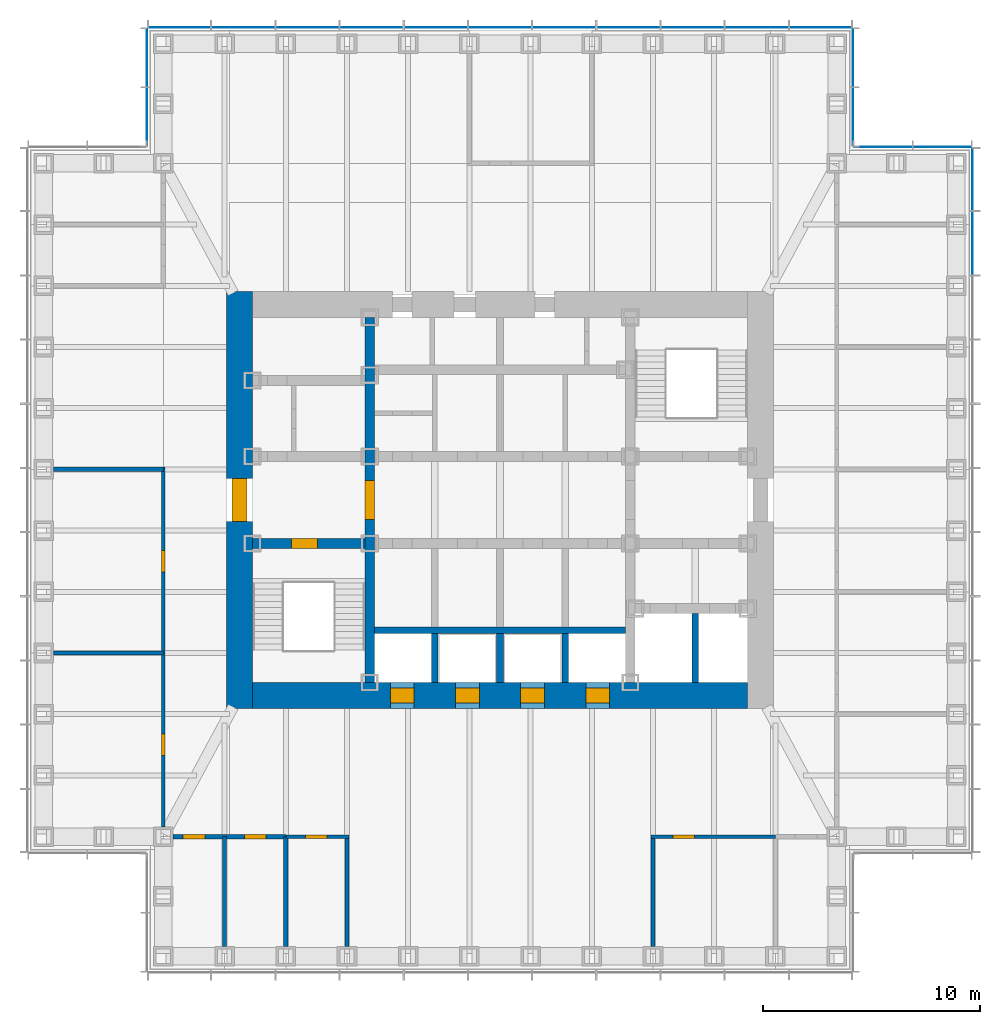
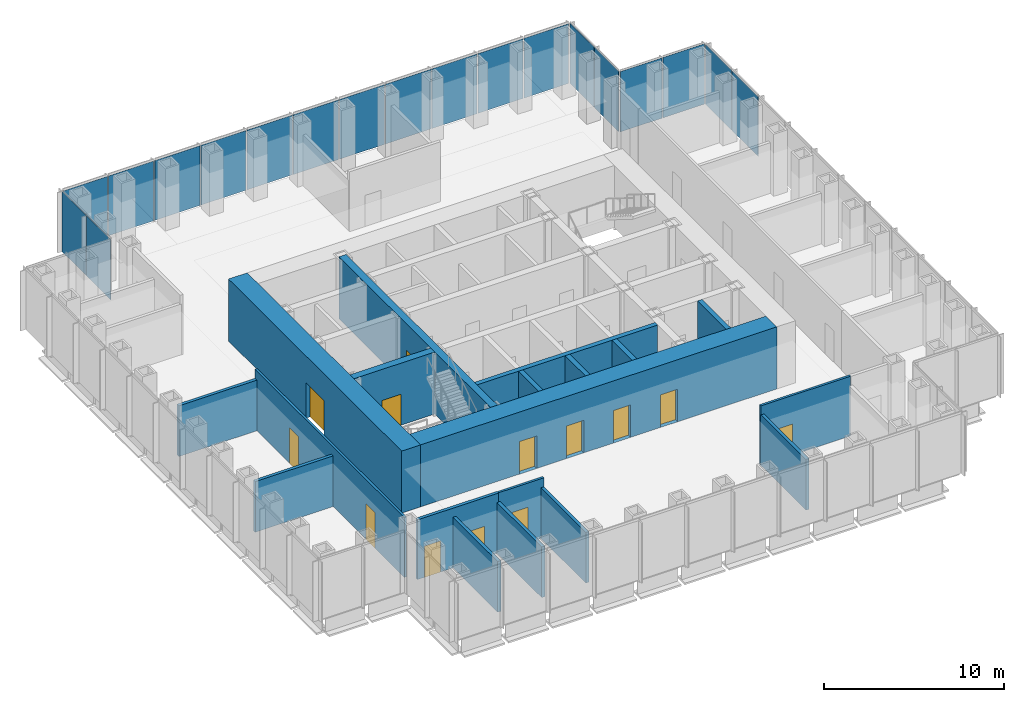
# One storey, part 8 of 16: 19 plates, 19 walls, 13 doors, 13 openings, 5 elements without a shape of their own.
"""IFC4 building model written with IfcOpenShell, lengths in metres."""

from ifc_helpers import new_model, si_unit, direction, frame, frame_2d, origin, origin_2d, place, context, subcontext, project, spatial, rectangle, extrude, material, layer, layer_set, type_object, element, fill, aggregate, save


model = new_model("IFC4")

# Units and contexts
model_context = context("Model", 3, precision=1e-05, world=origin(), true_north=direction((0.0, 1.0)))
body_context = subcontext(model_context, "Body", "Model", "MODEL_VIEW")
ifc_project = project(units=[si_unit("LENGTHUNIT", "METRE"), si_unit("AREAUNIT", "SQUARE_METRE"), si_unit("VOLUMEUNIT", "CUBIC_METRE"), si_unit("PLANEANGLEUNIT", "RADIAN"), si_unit("MASSUNIT", "GRAM", prefix="KILO")], contexts=[model_context])

# Site, building, storey
site_placement = place(None, origin())
site = spatial("IfcSite", under=ifc_project, at=site_placement, CompositionType="ELEMENT")
building_placement = place(site_placement, origin())
building = spatial("IfcBuilding", under=site, at=building_placement, Name="Daluyong Arena Tower", CompositionType="ELEMENT")
storey_placement = place(building_placement, frame((0.0, 0.0, 198.10009765625)))
storey = spatial("IfcBuildingStorey", under=building, at=storey_placement, Name="L44", CompositionType="ELEMENT", Elevation=198.10009765625)

# Curtain wall, plates
ifc_material_1 = material(Name="Bronze anodised aluminium and glass", Category="aluminium")
curtain_wall_type_1 = type_object("IfcCurtainWallType", Name="Curtain wall CW3", PredefinedType="USERDEFINED", material=ifc_material_1)
curtain_wall_1_placement = place(storey_placement, origin())
curtain_wall_1 = element("IfcCurtainWall", 1, at=curtain_wall_1_placement, inside=storey, type_object=curtain_wall_type_1, Name="curtain wall L44 E", ObjectType="UNITISED CURTAIN WALL", PredefinedType="USERDEFINED")
ifc_material_2 = material(Name="Tinted double glazed unit", Category="glass")
ifc_layer_1 = layer(ifc_material_2, 0.030029296875)
ifc_layer_set_1 = layer_set([ifc_layer_1], Name="Tinted double glazed unit")
plate_type_1 = type_object("IfcPlateType", Name="CW3 panel 30", PredefinedType="CURTAIN_PANEL", material=ifc_layer_set_1)
plate_1_placement = place(storey_placement, frame((77.75, 91.818115234375, 0.0), z_axis=(0.0, 0.0, 1.0), x_axis=(0.0, 1.0, 0.0)))
plate_1 = element("IfcPlate", 2, at=plate_1_placement, type_object=plate_type_1, Name="curtain wall L44 E panel 10", PredefinedType="CURTAIN_PANEL", context=body_context, shape_type="SweptSolid", body=[
    extrude(rectangle(XDim=2.884521484375, YDim=0.030029296875, at=origin_2d()), origin(), (0.0, 0.0, 1.0), 4.0400390625),
])
plate_2_placement = place(storey_placement, frame((77.75, 94.755126953125, 0.0), z_axis=(0.0, 0.0, 1.0), x_axis=(0.0, 1.0, 0.0)))
plate_2 = element("IfcPlate", 3, at=plate_2_placement, type_object=plate_type_1, Name="curtain wall L44 E panel 11", PredefinedType="CURTAIN_PANEL", context=body_context, shape_type="SweptSolid", body=[
    extrude(rectangle(XDim=2.849609375, YDim=0.030029296875, at=origin_2d()), origin(), (0.0, 0.0, 1.0), 4.0400390625),
])
aggregate(curtain_wall_1, [plate_1, plate_2])

curtain_wall_2_placement = place(storey_placement, origin())
curtain_wall_2 = element("IfcCurtainWall", 4, at=curtain_wall_2_placement, inside=storey, type_object=curtain_wall_type_1, Name="curtain wall L44 N", ObjectType="UNITISED CURTAIN WALL", PredefinedType="USERDEFINED")
plate_3_placement = place(storey_placement, frame((70.755126953125, 101.75, 0.0), z_axis=(0.0, 0.0, 1.0), x_axis=(-1.0, 0.0, 0.0)))
plate_3 = element("IfcPlate", 5, at=plate_3_placement, type_object=plate_type_1, Name="curtain wall L44 N panel 1", PredefinedType="CURTAIN_PANEL", context=body_context, shape_type="SweptSolid", body=[
    extrude(rectangle(XDim=2.849609375, YDim=0.030029296875, at=origin_2d()), origin(), (0.0, 0.0, 1.0), 4.0400390625),
])
plate_4_placement = place(storey_placement, frame((67.818115234375, 101.75, 0.0), z_axis=(0.0, 0.0, 1.0), x_axis=(-1.0, 0.0, 0.0)))
plate_4 = element("IfcPlate", 6, at=plate_4_placement, type_object=plate_type_1, Name="curtain wall L44 N panel 2", PredefinedType="CURTAIN_PANEL", context=body_context, shape_type="SweptSolid", body=[
    extrude(rectangle(XDim=2.884521484375, YDim=0.030029296875, at=origin_2d()), origin(), (0.0, 0.0, 1.0), 4.0400390625),
])
plate_5_placement = place(storey_placement, frame((64.863525390625, 101.75, 0.0), z_axis=(0.0, 0.0, 1.0), x_axis=(-1.0, 0.0, 0.0)))
plate_5 = element("IfcPlate", 7, at=plate_5_placement, type_object=plate_type_1, Name="curtain wall L44 N panel 3", PredefinedType="CURTAIN_PANEL", context=body_context, shape_type="SweptSolid", body=[
    extrude(rectangle(XDim=2.884521484375, YDim=0.030029296875, at=origin_2d()), origin(), (0.0, 0.0, 1.0), 4.0400390625),
])
plate_6_placement = place(storey_placement, frame((61.9091796875, 101.75, 0.0), z_axis=(0.0, 0.0, 1.0), x_axis=(-1.0, 0.0, 0.0)))
plate_6 = element("IfcPlate", 8, at=plate_6_placement, type_object=plate_type_1, Name="curtain wall L44 N panel 4", PredefinedType="CURTAIN_PANEL", context=body_context, shape_type="SweptSolid", body=[
    extrude(rectangle(XDim=2.884521484375, YDim=0.030029296875, at=origin_2d()), origin(), (0.0, 0.0, 1.0), 4.0400390625),
])
plate_7_placement = place(storey_placement, frame((58.95458984375, 101.75, 0.0), z_axis=(0.0, 0.0, 1.0), x_axis=(-1.0, 0.0, 0.0)))
plate_7 = element("IfcPlate", 9, at=plate_7_placement, type_object=plate_type_1, Name="curtain wall L44 N panel 5", PredefinedType="CURTAIN_PANEL", context=body_context, shape_type="SweptSolid", body=[
    extrude(rectangle(XDim=2.884521484375, YDim=0.030029296875, at=origin_2d()), origin(), (0.0, 0.0, 1.0), 4.0400390625),
])
plate_8_placement = place(storey_placement, frame((56.0, 101.75, 0.0), z_axis=(0.0, 0.0, 1.0), x_axis=(-1.0, 0.0, 0.0)))
plate_8 = element("IfcPlate", 10, at=plate_8_placement, type_object=plate_type_1, Name="curtain wall L44 N panel 6", PredefinedType="CURTAIN_PANEL", context=body_context, shape_type="SweptSolid", body=[
    extrude(rectangle(XDim=2.884521484375, YDim=0.030029296875, at=origin_2d()), origin(), (0.0, 0.0, 1.0), 4.0400390625),
])
plate_9_placement = place(storey_placement, frame((53.04541015625, 101.75, 0.0), z_axis=(0.0, 0.0, 1.0), x_axis=(-1.0, 0.0, 0.0)))
plate_9 = element("IfcPlate", 11, at=plate_9_placement, type_object=plate_type_1, Name="curtain wall L44 N panel 7", PredefinedType="CURTAIN_PANEL", context=body_context, shape_type="SweptSolid", body=[
    extrude(rectangle(XDim=2.884521484375, YDim=0.030029296875, at=origin_2d()), origin(), (0.0, 0.0, 1.0), 4.0400390625),
])
plate_10_placement = place(storey_placement, frame((50.0908203125, 101.75, 0.0), z_axis=(0.0, 0.0, 1.0), x_axis=(-1.0, 0.0, 0.0)))
plate_10 = element("IfcPlate", 12, at=plate_10_placement, type_object=plate_type_1, Name="curtain wall L44 N panel 8", PredefinedType="CURTAIN_PANEL", context=body_context, shape_type="SweptSolid", body=[
    extrude(rectangle(XDim=2.884521484375, YDim=0.030029296875, at=origin_2d()), origin(), (0.0, 0.0, 1.0), 4.0400390625),
])
plate_11_placement = place(storey_placement, frame((47.136474609375, 101.75, 0.0), z_axis=(0.0, 0.0, 1.0), x_axis=(-1.0, 0.0, 0.0)))
plate_11 = element("IfcPlate", 13, at=plate_11_placement, type_object=plate_type_1, Name="curtain wall L44 N panel 9", PredefinedType="CURTAIN_PANEL", context=body_context, shape_type="SweptSolid", body=[
    extrude(rectangle(XDim=2.884521484375, YDim=0.030029296875, at=origin_2d()), origin(), (0.0, 0.0, 1.0), 4.0400390625),
])
plate_12_placement = place(storey_placement, frame((44.181884765625, 101.75, 0.0), z_axis=(0.0, 0.0, 1.0), x_axis=(-1.0, 0.0, 0.0)))
plate_12 = element("IfcPlate", 14, at=plate_12_placement, type_object=plate_type_1, Name="curtain wall L44 N panel 10", PredefinedType="CURTAIN_PANEL", context=body_context, shape_type="SweptSolid", body=[
    extrude(rectangle(XDim=2.884521484375, YDim=0.030029296875, at=origin_2d()), origin(), (0.0, 0.0, 1.0), 4.0400390625),
])
plate_13_placement = place(storey_placement, frame((41.244873046875, 101.75, 0.0), z_axis=(0.0, 0.0, 1.0), x_axis=(-1.0, 0.0, 0.0)))
plate_13 = element("IfcPlate", 15, at=plate_13_placement, type_object=plate_type_1, Name="curtain wall L44 N panel 11", PredefinedType="CURTAIN_PANEL", context=body_context, shape_type="SweptSolid", body=[
    extrude(rectangle(XDim=2.849609375, YDim=0.030029296875, at=origin_2d()), origin(), (0.0, 0.0, 1.0), 4.0400390625),
])
aggregate(curtain_wall_2, [plate_3, plate_4, plate_5, plate_6, plate_7, plate_8, plate_9, plate_10, plate_11, plate_12, plate_13])

ifc_material_3 = material(Name="Bronze anodised aluminium and glass", Category="aluminium")
curtain_wall_type_2 = type_object("IfcCurtainWallType", Name="Curtain wall CW7", PredefinedType="USERDEFINED", material=ifc_material_3)
curtain_wall_3_placement = place(storey_placement, origin())
curtain_wall_3 = element("IfcCurtainWall", 16, at=curtain_wall_3_placement, inside=storey, type_object=curtain_wall_type_2, Name="curtain wall L44 NE-N", ObjectType="UNITISED CURTAIN WALL", PredefinedType="USERDEFINED")
ifc_material_4 = material(Name="Tinted double glazed unit", Category="glass")
ifc_layer_2 = layer(ifc_material_4, 0.028076171875)
ifc_layer_set_2 = layer_set([ifc_layer_2], Name="Tinted double glazed unit")
plate_type_2 = type_object("IfcPlateType", Name="CW7 panel 28", PredefinedType="CURTAIN_PANEL", material=ifc_layer_set_2)
plate_14_placement = place(storey_placement, frame((76.360107421875, 96.25, -0.000244140625), z_axis=(0.0, 0.0, 1.0), x_axis=(-1.0, 0.0, 0.0)))
plate_14 = element("IfcPlate", 17, at=plate_14_placement, type_object=plate_type_2, Name="curtain wall L44 NE-N panel 1", PredefinedType="CURTAIN_PANEL", context=body_context, shape_type="SweptSolid", body=[
    extrude(rectangle(XDim=2.659912109375, YDim=0.028076171875, at=origin_2d()), origin(), (0.0, 0.0, 1.0), 4.080078125),
])
plate_15_placement = place(storey_placement, frame((73.639892578125, 96.25, -0.000244140625), z_axis=(0.0, 0.0, 1.0), x_axis=(-1.0, 0.0, 0.0)))
plate_15 = element("IfcPlate", 18, at=plate_15_placement, type_object=plate_type_2, Name="curtain wall L44 NE-N panel 2", PredefinedType="CURTAIN_PANEL", context=body_context, shape_type="SweptSolid", body=[
    extrude(rectangle(XDim=2.659912109375, YDim=0.028076171875, at=origin_2d()), origin(), (0.0, 0.0, 1.0), 4.080078125),
])
aggregate(curtain_wall_3, [plate_14, plate_15])

curtain_wall_4_placement = place(storey_placement, origin())
curtain_wall_4 = element("IfcCurtainWall", 19, at=curtain_wall_4_placement, inside=storey, type_object=curtain_wall_type_2, Name="curtain wall L44 NE-E", ObjectType="UNITISED CURTAIN WALL", PredefinedType="USERDEFINED")
plate_16_placement = place(storey_placement, frame((72.25, 97.639892578125, -0.000244140625), z_axis=(0.0, 0.0, 1.0), x_axis=(0.0, 1.0, 0.0)))
plate_16 = element("IfcPlate", 20, at=plate_16_placement, type_object=plate_type_2, Name="curtain wall L44 NE-E panel 1", PredefinedType="CURTAIN_PANEL", context=body_context, shape_type="SweptSolid", body=[
    extrude(rectangle(XDim=2.659912109375, YDim=0.028076171875, at=origin_2d()), origin(), (0.0, 0.0, 1.0), 4.080078125),
])
plate_17_placement = place(storey_placement, frame((72.25, 100.360107421875, -0.000244140625), z_axis=(0.0, 0.0, 1.0), x_axis=(0.0, 1.0, 0.0)))
plate_17 = element("IfcPlate", 21, at=plate_17_placement, type_object=plate_type_2, Name="curtain wall L44 NE-E panel 2", PredefinedType="CURTAIN_PANEL", context=body_context, shape_type="SweptSolid", body=[
    extrude(rectangle(XDim=2.659912109375, YDim=0.028076171875, at=origin_2d()), origin(), (0.0, 0.0, 1.0), 4.080078125),
])
aggregate(curtain_wall_4, [plate_16, plate_17])

curtain_wall_5_placement = place(storey_placement, origin())
curtain_wall_5 = element("IfcCurtainWall", 22, at=curtain_wall_5_placement, inside=storey, type_object=curtain_wall_type_2, Name="curtain wall L44 NW-W", ObjectType="UNITISED CURTAIN WALL", PredefinedType="USERDEFINED")
plate_18_placement = place(storey_placement, frame((39.75, 100.360107421875, -0.000244140625), z_axis=(0.0, 0.0, 1.0), x_axis=(0.0, -1.0, 0.0)))
plate_18 = element("IfcPlate", 23, at=plate_18_placement, type_object=plate_type_2, Name="curtain wall L44 NW-W panel 1", PredefinedType="CURTAIN_PANEL", context=body_context, shape_type="SweptSolid", body=[
    extrude(rectangle(XDim=2.659912109375, YDim=0.028076171875, at=origin_2d()), origin(), (0.0, 0.0, 1.0), 4.080078125),
])
plate_19_placement = place(storey_placement, frame((39.75, 97.639892578125, -0.000244140625), z_axis=(0.0, 0.0, 1.0), x_axis=(0.0, -1.0, 0.0)))
plate_19 = element("IfcPlate", 24, at=plate_19_placement, type_object=plate_type_2, Name="curtain wall L44 NW-W panel 2", PredefinedType="CURTAIN_PANEL", context=body_context, shape_type="SweptSolid", body=[
    extrude(rectangle(XDim=2.659912109375, YDim=0.028076171875, at=origin_2d()), origin(), (0.0, 0.0, 1.0), 4.080078125),
])
aggregate(curtain_wall_5, [plate_18, plate_19])

# Wall, opening, door
ifc_material_5 = material(Name="Concrete fc' 45 MPa", Category="concrete")
ifc_layer_3 = layer(ifc_material_5, 0.449951171875)
ifc_layer_set_3 = layer_set([ifc_layer_3], Name="Concrete fc' 45 MPa")
wall_type_1 = type_object("IfcWallType", Name="Core inner wall 450", PredefinedType="SHEAR", material=ifc_layer_set_3)
wall_1_placement = place(storey_placement, frame((50.0, 71.60009765625, 0.0), z_axis=(0.0, 0.0, 1.0), x_axis=(0.0, 1.0, 0.0)))
wall_1 = element("IfcWall", 25, at=wall_1_placement, inside=storey, type_object=wall_type_1, Name="core inner wall at L44", PredefinedType="SHEAR", context=body_context, shape_type="SweptSolid", body=[
    extrude(rectangle(XDim=16.7998046875, YDim=0.449951171875, at=frame_2d((8.39990234375, 0.0))), origin(), (0.0, 0.0, 1.0), 4.199951171875),
])
opening_1_placement = place(wall_1_placement, frame((7.5, 0.0, 0.0)))
opening_1 = element("IfcOpeningElement", 26, at=opening_1_placement, cuts=wall_1, Name="Opening 44021", PredefinedType="OPENING", context=body_context, shape_type="SweptSolid", body=[
    extrude(rectangle(XDim=1.800048828125, YDim=2.39990234375, at=frame_2d((0.89990234375, 1.199951171875))), frame((0.0, 0.23486328125, 0.0), z_axis=(0.0, -1.0, 0.0), x_axis=(1.0, 0.0, 0.0)), (0.0, 0.0, 1.0), 0.469970703125),
])
ifc_material_6 = material(Name="Steel door, fire rated", Category="steel")
door_type_1 = type_object("IfcDoorType", Name="Lift lobby opening door 1800", OperationType="DOUBLE_DOOR_SINGLE_SWING", PredefinedType="DOOR", material=ifc_material_6)
door_1_placement = place(opening_1_placement, origin())
door_1 = element("IfcDoor", 27, at=door_1_placement, inside=storey, type_object=door_type_1, Name="lift lobby door west 44021", OperationType="DOUBLE_DOOR_SINGLE_SWING", OverallHeight=2.39990234375, OverallWidth=1.800048828125, PredefinedType="DOOR", context=body_context, shape_type="SweptSolid", body=[
    extrude(rectangle(XDim=1.800048828125, YDim=2.39990234375, at=frame_2d((0.89990234375, 1.199951171875))), frame((0.0, 0.224609375, 0.0), z_axis=(0.0, -1.0, 0.0), x_axis=(1.0, 0.0, 0.0)), (0.0, 0.0, 1.0), 0.449462890625),
])
fill(opening_1, door_1)

wall_2_placement = place(storey_placement, frame((44.60009765625, 78.0, 0.0), z_axis=(0.0, 0.0, 1.0), x_axis=(1.0, 0.0, 0.0)))
wall_2 = element("IfcWall", 28, at=wall_2_placement, inside=storey, type_object=wall_type_1, Name="core inner wall at L44", PredefinedType="SHEAR", context=body_context, shape_type="SweptSolid", body=[
    extrude(rectangle(XDim=5.1748046875, YDim=0.449951171875, at=frame_2d((2.58740234375, 0.0))), origin(), (0.0, 0.0, 1.0), 4.199951171875),
])
opening_2_placement = place(wall_2_placement, frame((1.800048828125, 0.0, 0.0)))
opening_2 = element("IfcOpeningElement", 29, at=opening_2_placement, cuts=wall_2, Name="Opening 44017", PredefinedType="OPENING", context=body_context, shape_type="SweptSolid", body=[
    extrude(rectangle(XDim=1.199951171875, YDim=2.10009765625, at=frame_2d((0.60009765625, 1.050048828125))), frame((0.0, 0.23486328125, 0.0), z_axis=(0.0, -1.0, 0.0), x_axis=(1.0, 0.0, 0.0)), (0.0, 0.0, 1.0), 0.469970703125),
])
ifc_material_7 = material(Name="Steel door, fire rated", Category="steel")
door_type_2 = type_object("IfcDoorType", Name="Stair door 1200", OperationType="SINGLE_SWING_LEFT", PredefinedType="DOOR", material=ifc_material_7)
door_2_placement = place(opening_2_placement, origin())
door_2 = element("IfcDoor", 30, at=door_2_placement, inside=storey, type_object=door_type_2, Name="stair A door 44017", OperationType="SINGLE_SWING_LEFT", OverallHeight=2.10009765625, OverallWidth=1.199951171875, PredefinedType="DOOR", context=body_context, shape_type="SweptSolid", body=[
    extrude(rectangle(XDim=1.199951171875, YDim=2.10009765625, at=frame_2d((0.60009765625, 1.050048828125))), frame((0.0, 0.224609375, 0.0), z_axis=(0.0, -1.0, 0.0), x_axis=(1.0, 0.0, 0.0)), (0.0, 0.0, 1.0), 0.449462890625),
])
fill(opening_2, door_2)

ifc_material_8 = material(Name="Concrete fc' 60 MPa", Category="concrete")
ifc_layer_4 = layer(ifc_material_8, 1.199951171875)
ifc_layer_set_4 = layer_set([ifc_layer_4], Name="Concrete fc' 60 MPa")
wall_type_2 = type_object("IfcWallType", Name="Core wall 1200", PredefinedType="SHEAR", material=ifc_layer_set_4)
wall_3_placement = place(storey_placement, frame((44.0, 70.39990234375, 0.0), z_axis=(0.0, 0.0, 1.0), x_axis=(0.0, 1.0, 0.0)))
wall_3 = element("IfcWall", 31, at=wall_3_placement, inside=storey, type_object=wall_type_2, Name="core wall at L44", PredefinedType="SHEAR", context=body_context, shape_type="SweptSolid", body=[
    extrude(rectangle(XDim=19.2001953125, YDim=1.199951171875, at=frame_2d((9.60009765625, 0.0))), origin(), (0.0, 0.0, 1.0), 4.199951171875),
])
opening_3_placement = place(wall_3_placement, frame((8.60009765625, 0.0, 0.0)))
opening_3 = element("IfcOpeningElement", 32, at=opening_3_placement, cuts=wall_3, Name="Opening 44019", PredefinedType="OPENING", context=body_context, shape_type="SweptSolid", body=[
    extrude(rectangle(XDim=2.0, YDim=2.39990234375, at=frame_2d((1.0, 1.199951171875))), frame((0.0, 0.60986328125, 0.0), z_axis=(0.0, -1.0, 0.0), x_axis=(1.0, 0.0, 0.0)), (0.0, 0.0, 1.0), 1.219970703125),
])
ifc_material_9 = material(Name="Steel door, fire rated", Category="steel")
door_type_3 = type_object("IfcDoorType", Name="Core lobby double door 2000", OperationType="DOUBLE_DOOR_SINGLE_SWING", PredefinedType="DOOR", material=ifc_material_9)
door_3_placement = place(opening_3_placement, origin())
door_3 = element("IfcDoor", 33, at=door_3_placement, inside=storey, type_object=door_type_3, Name="core lobby door west 44019", OperationType="DOUBLE_DOOR_SINGLE_SWING", OverallHeight=2.39990234375, OverallWidth=2.0, PredefinedType="DOOR", context=body_context, shape_type="SweptSolid", body=[
    extrude(rectangle(XDim=2.0, YDim=2.39990234375, at=frame_2d((1.0, 1.199951171875))), frame((0.0, 0.35009765625, 0.0), z_axis=(0.0, -1.0, 0.0), x_axis=(1.0, 0.0, 0.0)), (0.0, 0.0, 1.0), 0.699951171875),
])
fill(opening_3, door_3)

# Wall, openings, doors
wall_4_placement = place(storey_placement, frame((44.60009765625, 71.0, 0.0), z_axis=(0.0, 0.0, 1.0), x_axis=(1.0, 0.0, 0.0)))
wall_4 = element("IfcWall", 34, at=wall_4_placement, inside=storey, type_object=wall_type_2, Name="core wall at L44", PredefinedType="SHEAR", context=body_context, shape_type="SweptSolid", body=[
    extrude(rectangle(XDim=22.7998046875, YDim=1.199951171875, at=frame_2d((11.39990234375, 0.0))), origin(), (0.0, 0.0, 1.0), 4.199951171875),
])
opening_4_placement = place(wall_4_placement, frame((6.35009765625, 0.0, 0.0)))
opening_4 = element("IfcOpeningElement", 35, at=opening_4_placement, cuts=wall_4, Name="Opening 44024", PredefinedType="OPENING", context=body_context, shape_type="SweptSolid", body=[
    extrude(rectangle(XDim=1.10009765625, YDim=2.199951171875, at=frame_2d((0.550048828125, 1.10009765625))), frame((0.0, 0.60986328125, 0.0), z_axis=(0.0, -1.0, 0.0), x_axis=(1.0, 0.0, 0.0)), (0.0, 0.0, 1.0), 1.219970703125),
])
opening_5_placement = place(wall_4_placement, frame((9.35009765625, 0.0, 0.0)))
opening_5 = element("IfcOpeningElement", 36, at=opening_5_placement, cuts=wall_4, Name="Opening 44025", PredefinedType="OPENING", context=body_context, shape_type="SweptSolid", body=[
    extrude(rectangle(XDim=1.10009765625, YDim=2.199951171875, at=frame_2d((0.550048828125, 1.10009765625))), frame((0.0, 0.60986328125, 0.0), z_axis=(0.0, -1.0, 0.0), x_axis=(1.0, 0.0, 0.0)), (0.0, 0.0, 1.0), 1.219970703125),
])
opening_6_placement = place(wall_4_placement, frame((12.35009765625, 0.0, 0.0)))
opening_6 = element("IfcOpeningElement", 37, at=opening_6_placement, cuts=wall_4, Name="Opening 44026", PredefinedType="OPENING", context=body_context, shape_type="SweptSolid", body=[
    extrude(rectangle(XDim=1.10009765625, YDim=2.199951171875, at=frame_2d((0.550048828125, 1.10009765625))), frame((0.0, 0.60986328125, 0.0), z_axis=(0.0, -1.0, 0.0), x_axis=(1.0, 0.0, 0.0)), (0.0, 0.0, 1.0), 1.219970703125),
])
opening_7_placement = place(wall_4_placement, frame((15.35009765625, 0.0, 0.0)))
opening_7 = element("IfcOpeningElement", 38, at=opening_7_placement, cuts=wall_4, Name="Opening 44027", PredefinedType="OPENING", context=body_context, shape_type="SweptSolid", body=[
    extrude(rectangle(XDim=1.10009765625, YDim=2.199951171875, at=frame_2d((0.550048828125, 1.10009765625))), frame((0.0, 0.60986328125, 0.0), z_axis=(0.0, -1.0, 0.0), x_axis=(1.0, 0.0, 0.0)), (0.0, 0.0, 1.0), 1.219970703125),
])
ifc_material_10 = material(Name="Steel door, fire rated", Category="steel")
door_type_4 = type_object("IfcDoorType", Name="Lift landing door 1100", OperationType="SLIDING_TO_LEFT", PredefinedType="DOOR", material=ifc_material_10)
door_4_placement = place(opening_4_placement, origin())
door_4 = element("IfcDoor", 39, at=door_4_placement, inside=storey, type_object=door_type_4, Name="lift landing door C1 44024", OperationType="SLIDING_TO_LEFT", OverallHeight=2.199951171875, OverallWidth=1.10009765625, PredefinedType="DOOR", context=body_context, shape_type="SweptSolid", body=[
    extrude(rectangle(XDim=1.10009765625, YDim=2.199951171875, at=frame_2d((0.550048828125, 1.10009765625))), frame((0.0, 0.35009765625, 0.0), z_axis=(0.0, -1.0, 0.0), x_axis=(1.0, 0.0, 0.0)), (0.0, 0.0, 1.0), 0.699951171875),
])
fill(opening_4, door_4)
door_5_placement = place(opening_5_placement, origin())
door_5 = element("IfcDoor", 40, at=door_5_placement, inside=storey, type_object=door_type_4, Name="lift landing door C2 44025", OperationType="SLIDING_TO_LEFT", OverallHeight=2.199951171875, OverallWidth=1.10009765625, PredefinedType="DOOR", context=body_context, shape_type="SweptSolid", body=[
    extrude(rectangle(XDim=1.10009765625, YDim=2.199951171875, at=frame_2d((0.550048828125, 1.10009765625))), frame((0.0, 0.35009765625, 0.0), z_axis=(0.0, -1.0, 0.0), x_axis=(1.0, 0.0, 0.0)), (0.0, 0.0, 1.0), 0.699951171875),
])
fill(opening_5, door_5)
door_6_placement = place(opening_6_placement, origin())
door_6 = element("IfcDoor", 41, at=door_6_placement, inside=storey, type_object=door_type_4, Name="lift landing door C3 44026", OperationType="SLIDING_TO_LEFT", OverallHeight=2.199951171875, OverallWidth=1.10009765625, PredefinedType="DOOR", context=body_context, shape_type="SweptSolid", body=[
    extrude(rectangle(XDim=1.10009765625, YDim=2.199951171875, at=frame_2d((0.550048828125, 1.10009765625))), frame((0.0, 0.35009765625, 0.0), z_axis=(0.0, -1.0, 0.0), x_axis=(1.0, 0.0, 0.0)), (0.0, 0.0, 1.0), 0.699951171875),
])
fill(opening_6, door_6)
door_7_placement = place(opening_7_placement, origin())
door_7 = element("IfcDoor", 42, at=door_7_placement, inside=storey, type_object=door_type_4, Name="lift landing door C4 44027", OperationType="SLIDING_TO_LEFT", OverallHeight=2.199951171875, OverallWidth=1.10009765625, PredefinedType="DOOR", context=body_context, shape_type="SweptSolid", body=[
    extrude(rectangle(XDim=1.10009765625, YDim=2.199951171875, at=frame_2d((0.550048828125, 1.10009765625))), frame((0.0, 0.35009765625, 0.0), z_axis=(0.0, -1.0, 0.0), x_axis=(1.0, 0.0, 0.0)), (0.0, 0.0, 1.0), 0.699951171875),
])
fill(opening_7, door_7)

# Wall, opening, door
ifc_material_11 = material(Name="Glazed aluminium partition", Category="aluminium")
ifc_layer_5 = layer(ifc_material_11, 0.14990234375)
ifc_layer_set_5 = layer_set([ifc_layer_5], Name="Glazed aluminium partition")
wall_type_3 = type_object("IfcWallType", Name="Glazed partition 150", PredefinedType="PARTITIONING", material=ifc_layer_set_5)
wall_5_placement = place(storey_placement, frame((46.136474609375, 64.5, 0.0), z_axis=(0.0, 0.0, 1.0), x_axis=(1.0, 0.0, 0.0)))
wall_5 = element("IfcWall", 43, at=wall_5_placement, inside=storey, type_object=wall_type_3, Name="glazed partition at L44", PredefinedType="PARTITIONING", context=body_context, shape_type="SweptSolid", body=[
    extrude(rectangle(XDim=2.91796875, YDim=0.14990234375, at=frame_2d((1.458984375, 0.0))), origin(), (0.0, 0.0, 1.0), 4.039794921875),
])
opening_8_placement = place(wall_5_placement, frame((0.9091796875, 0.0, 0.0)))
opening_8 = element("IfcOpeningElement", 44, at=opening_8_placement, cuts=wall_5, Name="Opening 44032", PredefinedType="OPENING", context=body_context, shape_type="SweptSolid", body=[
    extrude(rectangle(XDim=1.0, YDim=2.39990234375, at=frame_2d((0.5, 1.199951171875))), frame((0.0, 0.0849609375, 0.0), z_axis=(0.0, -1.0, 0.0), x_axis=(1.0, 0.0, 0.0)), (0.0, 0.0, 1.0), 0.169921875),
])
ifc_material_12 = material(Name="Glazed aluminium door", Category="aluminium")
door_type_5 = type_object("IfcDoorType", Name="Meeting room glazed door 1000", OperationType="SINGLE_SWING_RIGHT", PredefinedType="DOOR", material=ifc_material_12)
door_8_placement = place(opening_8_placement, origin())
door_8 = element("IfcDoor", 45, at=door_8_placement, inside=storey, type_object=door_type_5, Name="focus room door 44032", OperationType="SINGLE_SWING_RIGHT", OverallHeight=2.39990234375, OverallWidth=1.0, PredefinedType="DOOR", context=body_context, shape_type="SweptSolid", body=[
    extrude(rectangle(XDim=1.0, YDim=2.39990234375, at=frame_2d((0.5, 1.199951171875))), frame((0.0, 0.07470703125, 0.0), z_axis=(0.0, -1.0, 0.0), x_axis=(1.0, 0.0, 0.0)), (0.0, 0.0, 1.0), 0.1494140625),
])
fill(opening_8, door_8)

wall_6_placement = place(storey_placement, frame((62.945556640625, 64.5, 0.0), z_axis=(0.0, 0.0, 1.0), x_axis=(1.0, 0.0, 0.0)))
wall_6 = element("IfcWall", 46, at=wall_6_placement, inside=storey, type_object=wall_type_3, Name="glazed partition at L44", PredefinedType="PARTITIONING", context=body_context, shape_type="SweptSolid", body=[
    extrude(rectangle(XDim=5.736328125, YDim=0.14990234375, at=frame_2d((2.8681640625, 0.0))), origin(), (0.0, 0.0, 1.0), 4.039794921875),
])
opening_9_placement = place(wall_6_placement, frame((1.009033203125, 0.0, 0.0)))
opening_9 = element("IfcOpeningElement", 47, at=opening_9_placement, cuts=wall_6, Name="Opening 44033", PredefinedType="OPENING", context=body_context, shape_type="SweptSolid", body=[
    extrude(rectangle(XDim=1.0, YDim=2.10009765625, at=frame_2d((0.5, 1.050048828125))), frame((0.0, 0.0849609375, 0.0), z_axis=(0.0, -1.0, 0.0), x_axis=(1.0, 0.0, 0.0)), (0.0, 0.0, 1.0), 0.169921875),
])
ifc_material_13 = material(Name="Timber door", Category="wood")
door_type_6 = type_object("IfcDoorType", Name="Room door 1000", OperationType="SINGLE_SWING_LEFT", PredefinedType="DOOR", material=ifc_material_13)
door_9_placement = place(opening_9_placement, origin())
door_9 = element("IfcDoor", 48, at=door_9_placement, inside=storey, type_object=door_type_6, Name="office door 44033", OperationType="SINGLE_SWING_LEFT", OverallHeight=2.10009765625, OverallWidth=1.0, PredefinedType="DOOR", context=body_context, shape_type="SweptSolid", body=[
    extrude(rectangle(XDim=1.0, YDim=2.10009765625, at=frame_2d((0.5, 1.050048828125))), frame((0.0, 0.07470703125, 0.0), z_axis=(0.0, -1.0, 0.0), x_axis=(1.0, 0.0, 0.0)), (0.0, 0.0, 1.0), 0.1494140625),
])
fill(opening_9, door_9)

# Wall, openings, doors
wall_7_placement = place(storey_placement, frame((40.5, 64.949951171875, 0.0), z_axis=(0.0, 0.0, 1.0), x_axis=(0.0, 1.0, 0.0)))
wall_7 = element("IfcWall", 49, at=wall_7_placement, inside=storey, type_object=wall_type_3, Name="glazed partition at L44", PredefinedType="PARTITIONING", context=body_context, shape_type="SweptSolid", body=[
    extrude(rectangle(XDim=16.55908203125, YDim=0.14990234375, at=frame_2d((8.279541015625, 0.0))), origin(), (0.0, 0.0, 1.0), 4.039794921875),
])
opening_10_placement = place(wall_7_placement, frame((3.27734375, 0.0, 0.0)))
opening_10 = element("IfcOpeningElement", 50, at=opening_10_placement, cuts=wall_7, Name="Opening 44042", PredefinedType="OPENING", context=body_context, shape_type="SweptSolid", body=[
    extrude(rectangle(XDim=1.0, YDim=2.39990234375, at=frame_2d((0.5, 1.199951171875))), frame((0.0, 0.0849609375, 0.0), z_axis=(0.0, -1.0, 0.0), x_axis=(1.0, 0.0, 0.0)), (0.0, 0.0, 1.0), 0.169921875),
])
opening_11_placement = place(wall_7_placement, frame((11.731689453125, 0.0, 0.0)))
opening_11 = element("IfcOpeningElement", 51, at=opening_11_placement, cuts=wall_7, Name="Opening 44043", PredefinedType="OPENING", context=body_context, shape_type="SweptSolid", body=[
    extrude(rectangle(XDim=1.0, YDim=2.39990234375, at=frame_2d((0.5, 1.199951171875))), frame((0.0, 0.0849609375, 0.0), z_axis=(0.0, -1.0, 0.0), x_axis=(1.0, 0.0, 0.0)), (0.0, 0.0, 1.0), 0.169921875),
])
door_10_placement = place(opening_10_placement, origin())
door_10 = element("IfcDoor", 52, at=door_10_placement, inside=storey, type_object=door_type_5, Name="meeting room door 44042", OperationType="SINGLE_SWING_RIGHT", OverallHeight=2.39990234375, OverallWidth=1.0, PredefinedType="DOOR", context=body_context, shape_type="SweptSolid", body=[
    extrude(rectangle(XDim=1.0, YDim=2.39990234375, at=frame_2d((0.5, 1.199951171875))), frame((0.0, 0.07470703125, 0.0), z_axis=(0.0, -1.0, 0.0), x_axis=(1.0, 0.0, 0.0)), (0.0, 0.0, 1.0), 0.1494140625),
])
fill(opening_10, door_10)
door_11_placement = place(opening_11_placement, origin())
door_11 = element("IfcDoor", 53, at=door_11_placement, inside=storey, type_object=door_type_5, Name="meeting room door 44043", OperationType="SINGLE_SWING_RIGHT", OverallHeight=2.39990234375, OverallWidth=1.0, PredefinedType="DOOR", context=body_context, shape_type="SweptSolid", body=[
    extrude(rectangle(XDim=1.0, YDim=2.39990234375, at=frame_2d((0.5, 1.199951171875))), frame((0.0, 0.07470703125, 0.0), z_axis=(0.0, -1.0, 0.0), x_axis=(1.0, 0.0, 0.0)), (0.0, 0.0, 1.0), 0.1494140625),
])
fill(opening_11, door_11)

# Walls
ifc_material_14 = material(Name="Concrete fc' 45 MPa", Category="concrete")
ifc_layer_6 = layer(ifc_material_14, 0.300048828125)
ifc_layer_set_6 = layer_set([ifc_layer_6], Name="Concrete fc' 45 MPa")
wall_type_4 = type_object("IfcWallType", Name="Lift shaft wall 300", PredefinedType="SHEAR", material=ifc_layer_set_6)
wall_8_placement = place(storey_placement, frame((50.22509765625, 74.0, 0.0), z_axis=(0.0, 0.0, 1.0), x_axis=(1.0, 0.0, 0.0)))
element("IfcWall", 54, at=wall_8_placement, inside=storey, type_object=wall_type_4, Name="lift shaft wall at L44", PredefinedType="SHEAR", context=body_context, shape_type="SweptSolid", body=[
    extrude(rectangle(XDim=11.5498046875, YDim=0.300048828125, at=frame_2d((5.77490234375, 0.0))), origin(), (0.0, 0.0, 1.0), 4.199951171875),
])
for number, where, z_axis, x_axis, name in (
    (55, (53.0, 71.60009765625, 0.0), (0.0, 0.0, 1.0), (0.0, 1.0, 0.0), "lift shaft wall at L44"),
    (56, (56.0, 71.60009765625, 0.0), (0.0, 0.0, 1.0), (0.0, 1.0, 0.0), "lift shaft wall at L44"),
    (57, (59.0, 71.60009765625, 0.0), (0.0, 0.0, 1.0), (0.0, 1.0, 0.0), "lift shaft wall at L44"),
):
    element("IfcWall", number, at=place(storey_placement, frame(where, z_axis=z_axis, x_axis=x_axis)), inside=storey, type_object=wall_type_4, Name=name, PredefinedType="SHEAR", context=body_context, shape_type="SweptSolid", body=[
        extrude(rectangle(XDim=2.25, YDim=0.300048828125, at=frame_2d((1.125, 0.0))), origin(), (0.0, 0.0, 1.0), 4.199951171875),
    ])
wall_9_placement = place(storey_placement, frame((65.0, 71.60009765625, 0.0), z_axis=(0.0, 0.0, 1.0), x_axis=(0.0, 1.0, 0.0)))
element("IfcWall", 58, at=wall_9_placement, inside=storey, type_object=wall_type_4, Name="lift shaft wall at L44", PredefinedType="SHEAR", context=body_context, shape_type="SweptSolid", body=[
    extrude(rectangle(XDim=3.1748046875, YDim=0.300048828125, at=frame_2d((1.58740234375, 0.0))), origin(), (0.0, 0.0, 1.0), 4.199951171875),
])
ifc_material_15 = material(Name="Concrete block partition", Category="concrete")
ifc_layer_7 = layer(ifc_material_15, 0.199951171875)
ifc_layer_set_7 = layer_set([ifc_layer_7], Name="Concrete block partition")
wall_type_5 = type_object("IfcWallType", Name="Partition 200", PredefinedType="PARTITIONING", material=ifc_layer_set_7)
for number, where, z_axis, x_axis, name in (
    (59, (43.318115234375, 59.449951171875, 0.0), (0.0, 0.0, 1.0), (0.0, 1.0, 0.0), "partition at L44"),
    (60, (46.136474609375, 59.449951171875, 0.0), (0.0, 0.0, 1.0), (0.0, 1.0, 0.0), "partition at L44"),
    (61, (48.95458984375, 59.449951171875, 0.0), (0.0, 0.0, 1.0), (0.0, 1.0, 0.0), "partition at L44"),
    (62, (63.04541015625, 59.449951171875, 0.0), (0.0, 0.0, 1.0), (0.0, 1.0, 0.0), "partition at L44"),
    (63, (35.449951171875, 72.95458984375, 0.0), (0.0, 0.0, 1.0), (1.0, 0.0, 0.0), "partition at L44"),
    (64, (35.449951171875, 81.4091796875, 0.0), (0.0, 0.0, 1.0), (1.0, 0.0, 0.0), "partition at L44"),
):
    element("IfcWall", number, at=place(storey_placement, frame(where, z_axis=z_axis, x_axis=x_axis)), inside=storey, type_object=wall_type_5, Name=name, PredefinedType="PARTITIONING", context=body_context, shape_type="SweptSolid", body=[
        extrude(rectangle(XDim=5.050048828125, YDim=0.199951171875, at=frame_2d((2.52490234375, 0.0))), origin(), (0.0, 0.0, 1.0), 3.427734375),
    ])

# Wall, openings, doors
wall_10_placement = place(storey_placement, frame((40.949951171875, 64.5, 0.0), z_axis=(0.0, 0.0, 1.0), x_axis=(1.0, 0.0, 0.0)))
wall_10 = element("IfcWall", 65, at=wall_10_placement, inside=storey, type_object=wall_type_5, Name="partition at L44", PredefinedType="PARTITIONING", context=body_context, shape_type="SweptSolid", body=[
    extrude(rectangle(XDim=5.1865234375, YDim=0.199951171875, at=frame_2d((2.59326171875, 0.0))), origin(), (0.0, 0.0, 1.0), 4.039794921875),
])
opening_12_placement = place(wall_10_placement, frame((0.458984375, 0.0, 0.0)))
opening_12 = element("IfcOpeningElement", 66, at=opening_12_placement, cuts=wall_10, Name="Opening 44030", PredefinedType="OPENING", context=body_context, shape_type="SweptSolid", body=[
    extrude(rectangle(XDim=1.0, YDim=2.10009765625, at=frame_2d((0.5, 1.050048828125))), frame((0.0, 0.10986328125, 0.0), z_axis=(0.0, -1.0, 0.0), x_axis=(1.0, 0.0, 0.0)), (0.0, 0.0, 1.0), 0.219970703125),
])
opening_13_placement = place(wall_10_placement, frame((3.27734375, 0.0, 0.0)))
opening_13 = element("IfcOpeningElement", 67, at=opening_13_placement, cuts=wall_10, Name="Opening 44031", PredefinedType="OPENING", context=body_context, shape_type="SweptSolid", body=[
    extrude(rectangle(XDim=1.0, YDim=2.10009765625, at=frame_2d((0.5, 1.050048828125))), frame((0.0, 0.10986328125, 0.0), z_axis=(0.0, -1.0, 0.0), x_axis=(1.0, 0.0, 0.0)), (0.0, 0.0, 1.0), 0.219970703125),
])
door_12_placement = place(opening_12_placement, origin())
door_12 = element("IfcDoor", 68, at=door_12_placement, inside=storey, type_object=door_type_6, Name="quiet room door 44030", OperationType="SINGLE_SWING_LEFT", OverallHeight=2.10009765625, OverallWidth=1.0, PredefinedType="DOOR", context=body_context, shape_type="SweptSolid", body=[
    extrude(rectangle(XDim=1.0, YDim=2.10009765625, at=frame_2d((0.5, 1.050048828125))), frame((0.0, 0.099609375, 0.0), z_axis=(0.0, -1.0, 0.0), x_axis=(1.0, 0.0, 0.0)), (0.0, 0.0, 1.0), 0.199462890625),
])
fill(opening_12, door_12)
door_13_placement = place(opening_13_placement, origin())
door_13 = element("IfcDoor", 69, at=door_13_placement, inside=storey, type_object=door_type_6, Name="quiet room door 44031", OperationType="SINGLE_SWING_LEFT", OverallHeight=2.10009765625, OverallWidth=1.0, PredefinedType="DOOR", context=body_context, shape_type="SweptSolid", body=[
    extrude(rectangle(XDim=1.0, YDim=2.10009765625, at=frame_2d((0.5, 1.050048828125))), frame((0.0, 0.099609375, 0.0), z_axis=(0.0, -1.0, 0.0), x_axis=(1.0, 0.0, 0.0)), (0.0, 0.0, 1.0), 0.199462890625),
])
fill(opening_13, door_13)

save(model, "model.ifc")
